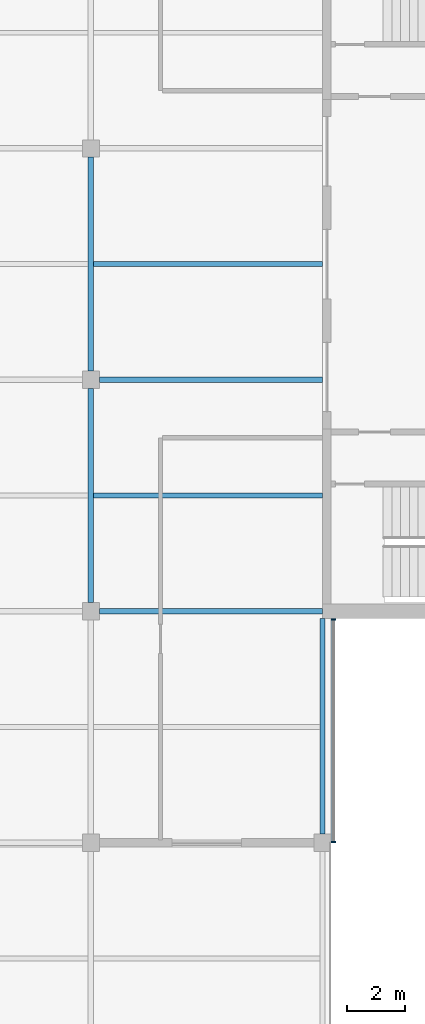
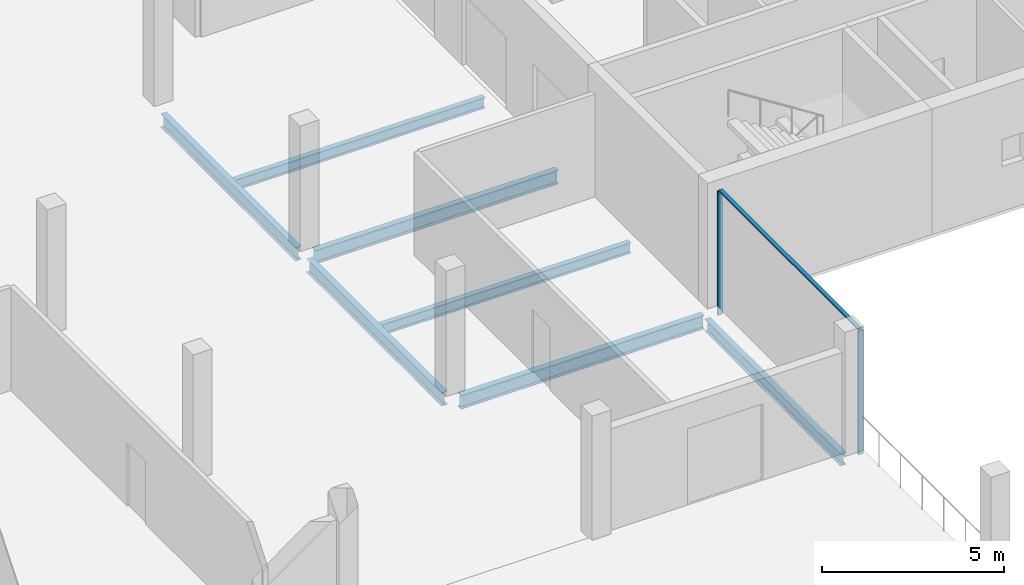
# One storey, part 4 of 12: 7 beams, 3 members, 1 element without a shape of its own.
"""IFC4 building model written with IfcOpenShell, lengths in metres."""

from ifc_helpers import new_model, si_unit, direction, frame, origin, origin_2d, place, context, subcontext, project, spatial, rectangle, i_section, extrude, material, material_profile, profile_set, type_object, element, aggregate, save


model = new_model("IFC4")

# Units and contexts
model_context = context("Model", 3, precision=1e-05, world=origin(), true_north=direction((0.0, 1.0)))
body_context = subcontext(model_context, "Body", "Model", "MODEL_VIEW")
ifc_project = project(units=[si_unit("LENGTHUNIT", "METRE"), si_unit("AREAUNIT", "SQUARE_METRE"), si_unit("VOLUMEUNIT", "CUBIC_METRE"), si_unit("PLANEANGLEUNIT", "RADIAN"), si_unit("MASSUNIT", "GRAM", prefix="KILO")], contexts=[model_context])

# Site, building, storey
site_placement = place(None, origin())
site = spatial("IfcSite", under=ifc_project, at=site_placement, CompositionType="ELEMENT")
building_placement = place(site_placement, origin())
building = spatial("IfcBuilding", under=site, at=building_placement, Name="Crosswind Convention Tower", CompositionType="ELEMENT")
storey_placement = place(building_placement, frame((0.0, 0.0, 323.89990234375)))
storey = spatial("IfcBuildingStorey", under=building, at=storey_placement, Name="L70", CompositionType="ELEMENT", Elevation=323.89990234375)

# Beams
ifc_material_1 = material(Name="Steel S355", Category="steel")
ifc_material_profile_1 = material_profile(ifc_material_1, i_section(OverallWidth=0.177734375, OverallDepth=0.406494140625, WebThickness=0.0078125, FlangeThickness=0.0126953125, FilletRadius=0.01025390625, at=origin_2d()), Name="UB 406x178x60")
ifc_profile_set_1 = profile_set([ifc_material_profile_1], Name="Steel S355")
beam_type_1 = type_object("IfcBeamType", Name="Edge beam UB 406x178x60", PredefinedType="SPANDREL", material=ifc_profile_set_1)
beam_placement = place(storey_placement, frame((137.0, 80.300048828125, -0.503173828125), z_axis=(0.0, 1.0, 0.0), x_axis=(-1.0, 0.0, 0.0)))
element("IfcBeam", 1, at=beam_placement, inside=storey, type_object=beam_type_1, Name="B15 L70 edge beam 12", PredefinedType="SPANDREL", context=body_context, shape_type="SweptSolid", body=[
    extrude(i_section(OverallWidth=0.177734375, OverallDepth=0.406494140625, WebThickness=0.0078125, FlangeThickness=0.0126953125, FilletRadius=0.01025390625, at=origin_2d()), origin(), (0.0, 0.0, 1.0), 7.449951171875),
])
ifc_material_profile_2 = material_profile(ifc_material_1, i_section(OverallWidth=0.18994140625, OverallDepth=0.45361328125, WebThickness=0.008544921875, FlangeThickness=0.0126953125, FilletRadius=0.01025390625, at=origin_2d()), Name="UB 457x191x67")
ifc_profile_set_2 = profile_set([ifc_material_profile_2], Name="Steel S355")
beam_type_2 = type_object("IfcBeamType", Name="Girder UB 457x191x67", PredefinedType="BEAM", material=ifc_profile_set_2)
for number, where, z_axis, x_axis, name in (
    (2, (129.0, 88.300048828125, -0.526611328125), (0.0, 1.0, 0.0), (-1.0, 0.0, 0.0), "B1 L70 girder 18"),
    (3, (129.0, 96.300048828125, -0.526611328125), (0.0, 1.0, 0.0), (-1.0, 0.0, 0.0), "B1 L70 girder 19"),
):
    element("IfcBeam", number, at=place(storey_placement, frame(where, z_axis=z_axis, x_axis=x_axis)), inside=storey, type_object=beam_type_2, Name=name, PredefinedType="BEAM", context=body_context, shape_type="SweptSolid", body=[
        extrude(i_section(OverallWidth=0.18994140625, OverallDepth=0.45361328125, WebThickness=0.008544921875, FlangeThickness=0.0126953125, FilletRadius=0.01025390625, at=origin_2d()), origin(), (0.0, 0.0, 1.0), 7.39990234375),
    ])
ifc_material_profile_3 = material_profile(ifc_material_1, i_section(OverallWidth=0.1904296875, OverallDepth=0.457275390625, WebThickness=0.009033203125, FlangeThickness=0.014404296875, FilletRadius=0.01025390625, at=origin_2d()), Name="UB 457x191x75")
ifc_profile_set_3 = profile_set([ifc_material_profile_3], Name="Steel S355")
beam_type_3 = type_object("IfcBeamType", Name="Girder at core wall UB 457x191x75", PredefinedType="BEAM", material=ifc_profile_set_3)
for number, where, z_axis, x_axis, name in (
    (4, (129.300048828125, 88.0, -0.528564453125), (1.0, 0.0, 0.0), (0.0, 1.0, 0.0), "B22 L70 girder at core wall 5"),
    (5, (129.300048828125, 96.0, -0.528564453125), (1.0, 0.0, 0.0), (0.0, 1.0, 0.0), "B22 L70 girder at core wall 6"),
):
    element("IfcBeam", number, at=place(storey_placement, frame(where, z_axis=z_axis, x_axis=x_axis)), inside=storey, type_object=beam_type_3, Name=name, PredefinedType="BEAM", context=body_context, shape_type="SweptSolid", body=[
        extrude(i_section(OverallWidth=0.1904296875, OverallDepth=0.457275390625, WebThickness=0.009033203125, FlangeThickness=0.014404296875, FilletRadius=0.01025390625, at=origin_2d()), origin(), (0.0, 0.0, 1.0), 7.699951171875),
    ])

# Curtain wall, members
ifc_material_2 = material(Name="Aluminium unitised curtain wall", Category="aluminium")
curtain_wall_type = type_object("IfcCurtainWallType", Name="CORE END SLOT WALL 160", PredefinedType="USERDEFINED", material=ifc_material_2)
curtain_wall_placement = place(storey_placement, origin())
curtain_wall = element("IfcCurtainWall", 6, at=curtain_wall_placement, inside=storey, type_object=curtain_wall_type, Name="CW6 L70 S-E.1-2 slot", ObjectType="UNITISED", PredefinedType="USERDEFINED")
ifc_material_3 = material(Name="Aluminium mullion", Category="aluminium")
ifc_material_profile_4 = material_profile(ifc_material_3, rectangle(XDim=0.159912109375, YDim=0.050048828125, at=origin_2d()), Name="AL 160X50")
ifc_profile_set_4 = profile_set([ifc_material_profile_4], Name="Aluminium mullion")
member_type_1 = type_object("IfcMemberType", Name="MULLION 50X160", PredefinedType="MULLION", material=ifc_profile_set_4)
member_1_placement = place(storey_placement, frame((137.3798828125, 80.02490234375, -0.2998046875), z_axis=(0.0, 0.0, 1.0), x_axis=(1.0, 0.0, 0.0)))
member_1 = element("IfcMember", 7, at=member_1_placement, type_object=member_type_1, Name="CW6 mullion 1", PredefinedType="MULLION", context=body_context, shape_type="SweptSolid", body=[
    extrude(rectangle(XDim=0.159912109375, YDim=0.050048828125, at=origin_2d()), origin(), (0.0, 0.0, 1.0), 4.14990234375),
])
member_2_placement = place(storey_placement, frame((137.3798828125, 87.72509765625, -0.2998046875), z_axis=(0.0, 0.0, 1.0), x_axis=(1.0, 0.0, 0.0)))
member_2 = element("IfcMember", 8, at=member_2_placement, type_object=member_type_1, Name="CW6 mullion 2", PredefinedType="MULLION", context=body_context, shape_type="SweptSolid", body=[
    extrude(rectangle(XDim=0.159912109375, YDim=0.050048828125, at=origin_2d()), origin(), (0.0, 0.0, 1.0), 4.14990234375),
])

# Beams
ifc_material_profile_5 = material_profile(ifc_material_1, i_section(OverallWidth=0.17138671875, OverallDepth=0.355712890625, WebThickness=0.00732421875, FlangeThickness=0.011474609375, FilletRadius=0.01025390625, at=origin_2d()), Name="UB 356x171x51")
ifc_profile_set_5 = profile_set([ifc_material_profile_5], Name="Steel S355")
beam_type_4 = type_object("IfcBeamType", Name="Secondary beam UB 356x171x51", PredefinedType="JOIST", material=ifc_profile_set_5)
for number, where, z_axis, x_axis, name in (
    (9, (129.094970703125, 92.0, -0.477783203125), (1.0, 0.0, 0.0), (0.0, 1.0, 0.0), "B8 L70 secondary beam 17"),
    (10, (129.094970703125, 100.0, -0.477783203125), (1.0, 0.0, 0.0), (0.0, 1.0, 0.0), "B8 L70 secondary beam 18"),
):
    element("IfcBeam", number, at=place(storey_placement, frame(where, z_axis=z_axis, x_axis=x_axis)), inside=storey, type_object=beam_type_4, Name=name, PredefinedType="JOIST", context=body_context, shape_type="SweptSolid", body=[
        extrude(i_section(OverallWidth=0.17138671875, OverallDepth=0.355712890625, WebThickness=0.00732421875, FlangeThickness=0.011474609375, FilletRadius=0.01025390625, at=origin_2d()), origin(), (0.0, 0.0, 1.0), 7.905029296875),
    ])

# Member
ifc_material_4 = material(Name="Aluminium transom", Category="aluminium")
ifc_material_profile_6 = material_profile(ifc_material_4, rectangle(XDim=0.1201171875, YDim=0.050048828125, at=origin_2d()), Name="AL 120X50")
ifc_profile_set_6 = profile_set([ifc_material_profile_6], Name="Aluminium transom")
member_type_2 = type_object("IfcMemberType", Name="TRANSOM 50X120", PredefinedType="USERDEFINED", material=ifc_profile_set_6)
member_3_placement = place(storey_placement, frame((137.3798828125, 80.050048828125, 3.875), z_axis=(0.0, 1.0, 0.0), x_axis=(-1.0, 0.0, 0.0)))
member_3 = element("IfcMember", 11, at=member_3_placement, type_object=member_type_2, Name="CW6 transom", ObjectType="TRANSOM", PredefinedType="USERDEFINED", context=body_context, shape_type="SweptSolid", body=[
    extrude(rectangle(XDim=0.1201171875, YDim=0.050048828125, at=origin_2d()), origin(), (0.0, 0.0, 1.0), 7.64990234375),
])

aggregate(curtain_wall, [member_1, member_2, member_3])

save(model, "model.ifc")
